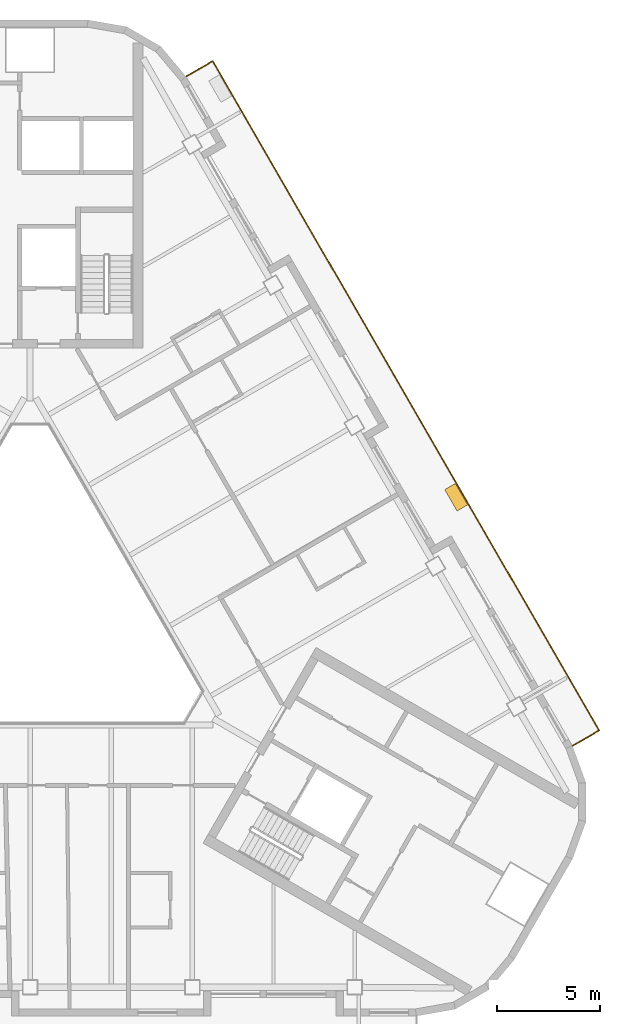
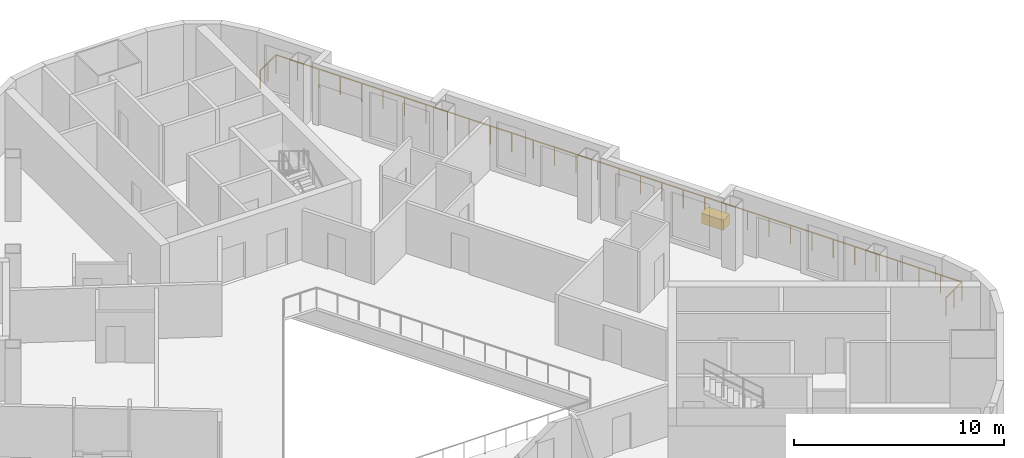
# One storey, part 12 of 13: 1 covering, 1 railing.
"""IFC4 building model written with IfcOpenShell, lengths in metres."""

from ifc_helpers import new_model, si_unit, direction, frame, origin, origin_2d, place, context, subcontext, project, spatial, rectangle, extrude, material, type_object, element, save


model = new_model("IFC4")

# Units and contexts
model_context = context("Model", 3, precision=1e-05, world=origin(), true_north=direction((0.0, 1.0)))
body_context = subcontext(model_context, "Body", "Model", "MODEL_VIEW")
ifc_project = project(units=[si_unit("LENGTHUNIT", "METRE"), si_unit("AREAUNIT", "SQUARE_METRE"), si_unit("VOLUMEUNIT", "CUBIC_METRE"), si_unit("PLANEANGLEUNIT", "RADIAN"), si_unit("MASSUNIT", "GRAM", prefix="KILO")], contexts=[model_context])

# Site, building, storey
site_placement = place(None, origin())
site = spatial("IfcSite", under=ifc_project, at=site_placement, CompositionType="ELEMENT")
building_placement = place(site_placement, origin())
building = spatial("IfcBuilding", under=site, at=building_placement, Name="Apuvela Tower Hotel", CompositionType="ELEMENT")
storey_placement = place(building_placement, frame((0.0, 0.0, 194.699951171875)))
storey = spatial("IfcBuildingStorey", under=building, at=storey_placement, Name="L47", CompositionType="ELEMENT", Elevation=194.699951171875)

# Railing
ifc_material_1 = material(Name="Stainless steel 316 rail with laminated glass infill", Category="steel")
railing_type = type_object("IfcRailingType", Name="ENV-GUARD-1100", PredefinedType="GUARDRAIL", material=ifc_material_1)
railing_placement = place(storey_placement, frame((26.407958984375, -6.47998046875, 0.0)))
element("IfcRailing", 1, at=railing_placement, inside=storey, type_object=railing_type, Name="Balcony guard NE L47", PredefinedType="GUARDRAIL", context=body_context, shape_type="SweptSolid", body=[
    extrude(rectangle(XDim=0.050048828125, YDim=0.050048828125, at=origin_2d()), frame((0.0, 0.0, 1.0751953125), z_axis=(0.866031096941, 0.499990139034, 0.0), x_axis=(-0.499990139034, 0.866031096941, 0.0)), (0.0, 0.0, 1.0), 1.5),
    extrude(rectangle(XDim=0.050048828125, YDim=0.050048828125, at=origin_2d()), frame((1.299072265625, 0.75, 1.0751953125), z_axis=(-0.500000437506, 0.86602515119, 0.0), x_axis=(-0.86602515119, -0.500000437506, 0.0)), (0.0, 0.0, 1.0), 37.6318359375),
    extrude(rectangle(XDim=0.050048828125, YDim=0.050048828125, at=origin_2d()), frame((-17.516845703125, 33.340087890625, 1.0751953125), z_axis=(-0.86599040064, -0.500060622324, 0.0), x_axis=(0.500060622324, -0.86599040064, 0.0)), (0.0, 0.0, 1.0), 1.499755859375),
    extrude(rectangle(XDim=0.0400390625, YDim=0.0400390625, at=origin_2d()), origin(), (0.0, 0.0, 1.0), 1.050048828125),
    extrude(rectangle(XDim=0.0400390625, YDim=0.0400390625, at=origin_2d()), frame((0.6494140625, 0.375, 0.0)), (0.0, 0.0, 1.0), 1.050048828125),
    extrude(rectangle(XDim=0.0400390625, YDim=0.0400390625, at=origin_2d()), frame((1.299072265625, 0.75, 0.0)), (0.0, 0.0, 1.0), 1.050048828125),
    extrude(rectangle(XDim=0.0400390625, YDim=0.0400390625, at=origin_2d()), frame((0.711181640625, 1.7685546875, 0.0)), (0.0, 0.0, 1.0), 1.050048828125),
    extrude(rectangle(XDim=0.0400390625, YDim=0.0400390625, at=origin_2d()), frame((0.123046875, 2.786865234375, 0.0)), (0.0, 0.0, 1.0), 1.050048828125),
    extrude(rectangle(XDim=0.0400390625, YDim=0.0400390625, at=origin_2d()), frame((-0.46484375, 3.805419921875, 0.0)), (0.0, 0.0, 1.0), 1.050048828125),
    extrude(rectangle(XDim=0.0400390625, YDim=0.0400390625, at=origin_2d()), frame((-1.052978515625, 4.82373046875, 0.0)), (0.0, 0.0, 1.0), 1.050048828125),
    extrude(rectangle(XDim=0.0400390625, YDim=0.0400390625, at=origin_2d()), frame((-1.640869140625, 5.84228515625, 0.0)), (0.0, 0.0, 1.0), 1.050048828125),
    extrude(rectangle(XDim=0.0400390625, YDim=0.0400390625, at=origin_2d()), frame((-2.22900390625, 6.860595703125, 0.0)), (0.0, 0.0, 1.0), 1.050048828125),
    extrude(rectangle(XDim=0.0400390625, YDim=0.0400390625, at=origin_2d()), frame((-2.81689453125, 7.879150390625, 0.0)), (0.0, 0.0, 1.0), 1.050048828125),
    extrude(rectangle(XDim=0.0400390625, YDim=0.0400390625, at=origin_2d()), frame((-3.40478515625, 8.8974609375, 0.0)), (0.0, 0.0, 1.0), 1.050048828125),
    extrude(rectangle(XDim=0.0400390625, YDim=0.0400390625, at=origin_2d()), frame((-3.992919921875, 9.916015625, 0.0)), (0.0, 0.0, 1.0), 1.050048828125),
    extrude(rectangle(XDim=0.0400390625, YDim=0.0400390625, at=origin_2d()), frame((-4.580810546875, 10.934326171875, 0.0)), (0.0, 0.0, 1.0), 1.050048828125),
    extrude(rectangle(XDim=0.0400390625, YDim=0.0400390625, at=origin_2d()), frame((-5.1689453125, 11.952880859375, 0.0)), (0.0, 0.0, 1.0), 1.050048828125),
    extrude(rectangle(XDim=0.0400390625, YDim=0.0400390625, at=origin_2d()), frame((-5.7568359375, 12.97119140625, 0.0)), (0.0, 0.0, 1.0), 1.050048828125),
    extrude(rectangle(XDim=0.0400390625, YDim=0.0400390625, at=origin_2d()), frame((-6.344970703125, 13.98974609375, 0.0)), (0.0, 0.0, 1.0), 1.050048828125),
    extrude(rectangle(XDim=0.0400390625, YDim=0.0400390625, at=origin_2d()), frame((-6.932861328125, 15.008056640625, 0.0)), (0.0, 0.0, 1.0), 1.050048828125),
    extrude(rectangle(XDim=0.0400390625, YDim=0.0400390625, at=origin_2d()), frame((-7.52099609375, 16.026611328125, 0.0)), (0.0, 0.0, 1.0), 1.050048828125),
    extrude(rectangle(XDim=0.0400390625, YDim=0.0400390625, at=origin_2d()), frame((-8.10888671875, 17.044921875, 0.0)), (0.0, 0.0, 1.0), 1.050048828125),
    extrude(rectangle(XDim=0.0400390625, YDim=0.0400390625, at=origin_2d()), frame((-8.69677734375, 18.0634765625, 0.0)), (0.0, 0.0, 1.0), 1.050048828125),
    extrude(rectangle(XDim=0.0400390625, YDim=0.0400390625, at=origin_2d()), frame((-9.284912109375, 19.08203125, 0.0)), (0.0, 0.0, 1.0), 1.050048828125),
    extrude(rectangle(XDim=0.0400390625, YDim=0.0400390625, at=origin_2d()), frame((-9.872802734375, 20.100341796875, 0.0)), (0.0, 0.0, 1.0), 1.050048828125),
    extrude(rectangle(XDim=0.0400390625, YDim=0.0400390625, at=origin_2d()), frame((-10.4609375, 21.118896484375, 0.0)), (0.0, 0.0, 1.0), 1.050048828125),
    extrude(rectangle(XDim=0.0400390625, YDim=0.0400390625, at=origin_2d()), frame((-11.048828125, 22.13720703125, 0.0)), (0.0, 0.0, 1.0), 1.050048828125),
    extrude(rectangle(XDim=0.0400390625, YDim=0.0400390625, at=origin_2d()), frame((-11.636962890625, 23.15576171875, 0.0)), (0.0, 0.0, 1.0), 1.050048828125),
    extrude(rectangle(XDim=0.0400390625, YDim=0.0400390625, at=origin_2d()), frame((-12.224853515625, 24.174072265625, 0.0)), (0.0, 0.0, 1.0), 1.050048828125),
    extrude(rectangle(XDim=0.0400390625, YDim=0.0400390625, at=origin_2d()), frame((-12.81298828125, 25.192626953125, 0.0)), (0.0, 0.0, 1.0), 1.050048828125),
    extrude(rectangle(XDim=0.0400390625, YDim=0.0400390625, at=origin_2d()), frame((-13.40087890625, 26.2109375, 0.0)), (0.0, 0.0, 1.0), 1.050048828125),
    extrude(rectangle(XDim=0.0400390625, YDim=0.0400390625, at=origin_2d()), frame((-13.98876953125, 27.2294921875, 0.0)), (0.0, 0.0, 1.0), 1.050048828125),
    extrude(rectangle(XDim=0.0400390625, YDim=0.0400390625, at=origin_2d()), frame((-14.576904296875, 28.247802734375, 0.0)), (0.0, 0.0, 1.0), 1.050048828125),
    extrude(rectangle(XDim=0.0400390625, YDim=0.0400390625, at=origin_2d()), frame((-15.164794921875, 29.266357421875, 0.0)), (0.0, 0.0, 1.0), 1.050048828125),
    extrude(rectangle(XDim=0.0400390625, YDim=0.0400390625, at=origin_2d()), frame((-15.7529296875, 30.28466796875, 0.0)), (0.0, 0.0, 1.0), 1.050048828125),
    extrude(rectangle(XDim=0.0400390625, YDim=0.0400390625, at=origin_2d()), frame((-16.3408203125, 31.30322265625, 0.0)), (0.0, 0.0, 1.0), 1.050048828125),
    extrude(rectangle(XDim=0.0400390625, YDim=0.0400390625, at=origin_2d()), frame((-16.928955078125, 32.321533203125, 0.0)), (0.0, 0.0, 1.0), 1.050048828125),
    extrude(rectangle(XDim=0.0400390625, YDim=0.0400390625, at=origin_2d()), frame((-17.516845703125, 33.340087890625, 0.0)), (0.0, 0.0, 1.0), 1.050048828125),
    extrude(rectangle(XDim=0.0400390625, YDim=0.0400390625, at=origin_2d()), frame((-18.166259765625, 32.965087890625, 0.0)), (0.0, 0.0, 1.0), 1.050048828125),
    extrude(rectangle(XDim=0.0400390625, YDim=0.0400390625, at=origin_2d()), frame((-18.815673828125, 32.590087890625, 0.0)), (0.0, 0.0, 1.0), 1.050048828125),
])

# Covering
ifc_material_2 = material(Name="Planting substrate and soil, planted")
covering_type = type_object("IfcCoveringType", Name="ENV-PLANTER-1200x600", PredefinedType="USERDEFINED", material=ifc_material_2)
covering_placement = place(storey_placement, frame((20.74609375, 5.626708984375, 0.0), z_axis=(0.0, 0.0, 1.0), x_axis=(-0.5, 0.866025403784, 0.0)))
element("IfcCovering", 2, at=covering_placement, inside=storey, type_object=covering_type, Name="Planter NE2", ObjectType="PLANTER", PredefinedType="USERDEFINED", context=body_context, shape_type="SweptSolid", body=[
    extrude(rectangle(XDim=1.199951171875, YDim=0.60009765625, at=origin_2d()), origin(), (0.0, 0.0, 1.0), 0.60009765625),
])

save(model, "model.ifc")
